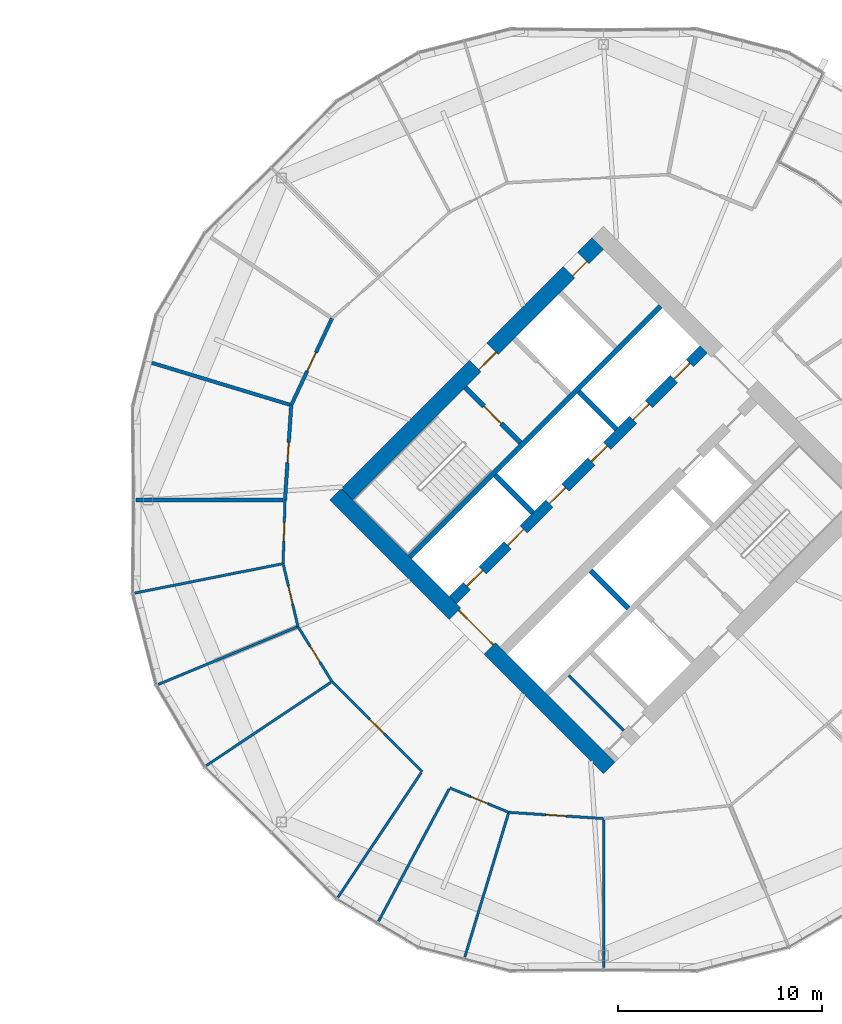
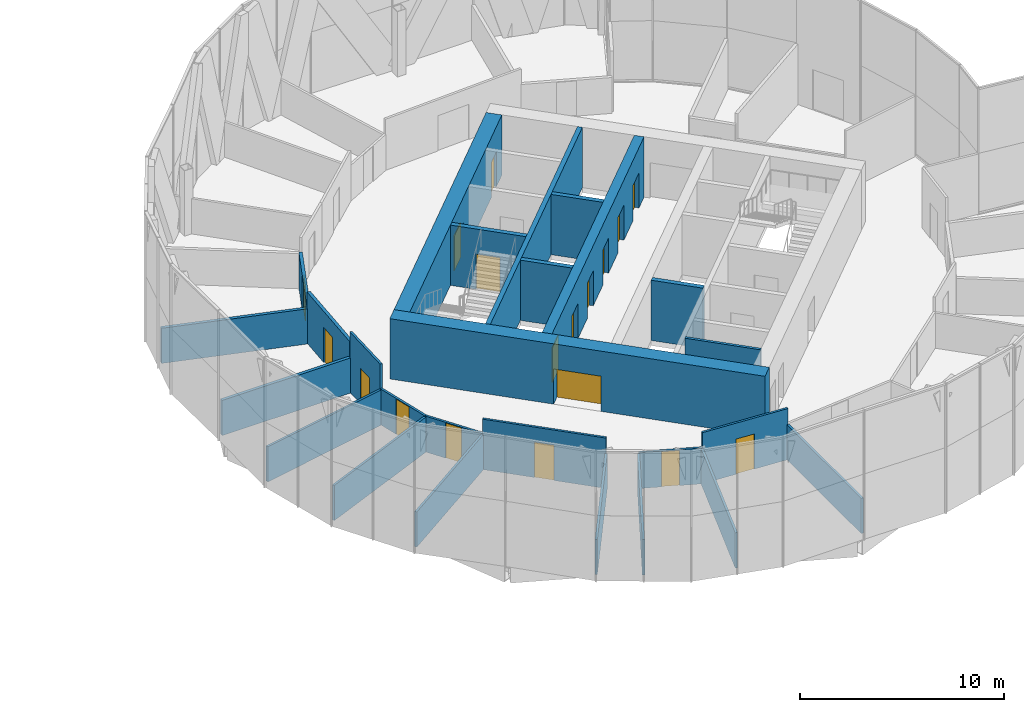
# One storey, part 21 of 27: 26 walls, 18 doors, 18 openings.
"""IFC4 building model written with IfcOpenShell, lengths in metres."""

from ifc_helpers import new_model, si_unit, direction, frame, frame_2d, origin, place, context, subcontext, project, spatial, rectangle, extrude, material, layer, layer_set, type_object, element, fill, save


model = new_model("IFC4")

# Units and contexts
model_context = context("Model", 3, precision=1e-05, world=origin(), true_north=direction((0.0, 1.0)))
body_context = subcontext(model_context, "Body", "Model", "MODEL_VIEW")
ifc_project = project(units=[si_unit("LENGTHUNIT", "METRE"), si_unit("AREAUNIT", "SQUARE_METRE"), si_unit("VOLUMEUNIT", "CUBIC_METRE"), si_unit("PLANEANGLEUNIT", "RADIAN"), si_unit("MASSUNIT", "GRAM", prefix="KILO")], contexts=[model_context])

# Site, building, storey
site_placement = place(None, origin())
site = spatial("IfcSite", under=ifc_project, at=site_placement, CompositionType="ELEMENT")
building_placement = place(site_placement, origin())
building = spatial("IfcBuilding", under=site, at=building_placement, Name="Ogive Gate Towers", CompositionType="ELEMENT")
storey_placement = place(building_placement, frame((0.0, 0.0, 123.0)))
storey = spatial("IfcBuildingStorey", under=building, at=storey_placement, Name="L29", CompositionType="ELEMENT", Elevation=123.0)

# Walls
ifc_material_1 = material(Name="Gypsum board acoustic partition")
ifc_layer_1 = layer(ifc_material_1, 0.175048828125)
ifc_layer_set_1 = layer_set([ifc_layer_1], Name="Acoustic partition 175")
wall_type_1 = type_object("IfcWallType", Name="Acoustic partition 175", PredefinedType="PARTITIONING", material=ifc_layer_set_1)
wall_1_placement = place(storey_placement, frame((13.5751953125, 6.80859375, 0.0), z_axis=(0.0, 0.0, 1.0), x_axis=(0.956872477348, -0.290508282317, 0.0)))
element("IfcWall", 1, at=wall_1_placement, inside=storey, type_object=wall_type_1, Name="Partition T2-L29-010", PredefinedType="PARTITIONING", context=body_context, shape_type="SweptSolid", body=[
    extrude(rectangle(XDim=7.33154296875, YDim=0.175048828125, at=frame_2d((3.665771484375, 0.0))), origin(), (0.0, 0.0, 1.0), 2.10009765625),
])
wall_2_placement = place(storey_placement, frame((13.051025390625, 0.0, 0.0), z_axis=(0.0, 0.0, 1.0), x_axis=(1.0, 0.0, 0.0)))
element("IfcWall", 2, at=wall_2_placement, inside=storey, type_object=wall_type_1, Name="Partition T2-L29-011", PredefinedType="PARTITIONING", context=body_context, shape_type="SweptSolid", body=[
    extrude(rectangle(XDim=7.2314453125, YDim=0.175048828125, at=frame_2d((3.61572265625, 0.0))), origin(), (0.0, 0.0, 1.0), 2.10009765625),
])

# Wall, opening, door
wall_3_placement = place(storey_placement, frame((20.3701171875, 0.0, 0.0), z_axis=(0.0, 0.0, 1.0), x_axis=(0.065233267178, 0.997870042066, 0.0)))
wall_3 = element("IfcWall", 3, at=wall_3_placement, inside=storey, type_object=wall_type_1, Name="Partition T2-L29-028", PredefinedType="PARTITIONING", context=body_context, shape_type="SweptSolid", body=[
    extrude(rectangle(XDim=4.663330078125, YDim=0.175048828125, at=frame_2d((2.33154296875, 0.0))), origin(), (0.0, 0.0, 1.0), 3.050048828125),
])
opening_1_placement = place(wall_3_placement, frame((1.83203125, 0.0, 0.0)))
opening_1 = element("IfcOpeningElement", 4, at=opening_1_placement, cuts=wall_3, Name="Opening T2-L29-D05", PredefinedType="OPENING", context=body_context, shape_type="SweptSolid", body=[
    extrude(rectangle(XDim=1.0, YDim=2.10009765625, at=frame_2d((0.5, 1.050048828125))), frame((0.0, 0.09765625, 0.0), z_axis=(0.0, -1.0, 0.0), x_axis=(1.0, 0.0, 0.0)), (0.0, 0.0, 1.0), 0.195068359375),
])
ifc_material_2 = material(Name="Timber door", Category="wood")
door_type_1 = type_object("IfcDoorType", Name="Door 1000", OperationType="NOTDEFINED", PredefinedType="DOOR", material=ifc_material_2)
door_1_placement = place(opening_1_placement, origin())
door_1 = element("IfcDoor", 5, at=door_1_placement, inside=storey, type_object=door_type_1, Name="Door T2-L29-D05", OperationType="SINGLE_SWING_RIGHT", OverallHeight=2.10009765625, OverallWidth=1.0, PredefinedType="DOOR", context=body_context, shape_type="SweptSolid", body=[
    extrude(rectangle(XDim=1.0, YDim=2.10009765625, at=frame_2d((0.5, 1.050048828125))), frame((0.0, 0.02490234375, 0.0), z_axis=(0.0, -1.0, 0.0), x_axis=(1.0, 0.0, 0.0)), (0.0, 0.0, 1.0), 0.050048828125),
])
fill(opening_1, door_1)

wall_4_placement = place(storey_placement, frame((20.67431640625, 4.6533203125, 0.0), z_axis=(0.0, 0.0, 1.0), x_axis=(0.425174486492, 0.905111405318, 0.0)))
wall_4 = element("IfcWall", 6, at=wall_4_placement, inside=storey, type_object=wall_type_1, Name="Partition T2-L29-029", PredefinedType="PARTITIONING", context=body_context, shape_type="SweptSolid", body=[
    extrude(rectangle(XDim=4.703369140625, YDim=0.175048828125, at=frame_2d((2.3515625, 0.0))), origin(), (0.0, 0.0, 1.0), 2.139892578125),
])
opening_2_placement = place(wall_4_placement, frame((1.85205078125, 0.0, 0.0)))
opening_2 = element("IfcOpeningElement", 7, at=opening_2_placement, cuts=wall_4, Name="Opening T2-L29-D06", PredefinedType="OPENING", context=body_context, shape_type="SweptSolid", body=[
    extrude(rectangle(XDim=1.0, YDim=2.10009765625, at=frame_2d((0.5, 1.050048828125))), frame((0.0, 0.09765625, 0.0), z_axis=(0.0, -1.0, 0.0), x_axis=(1.0, 0.0, 0.0)), (0.0, 0.0, 1.0), 0.195068359375),
])
door_2_placement = place(opening_2_placement, origin())
door_2 = element("IfcDoor", 8, at=door_2_placement, inside=storey, type_object=door_type_1, Name="Door T2-L29-D06", OperationType="SINGLE_SWING_RIGHT", OverallHeight=2.10009765625, OverallWidth=1.0, PredefinedType="DOOR", context=body_context, shape_type="SweptSolid", body=[
    extrude(rectangle(XDim=1.0, YDim=2.10009765625, at=frame_2d((0.5, 1.050048828125))), frame((0.0, 0.02490234375, 0.0), z_axis=(0.0, -1.0, 0.0), x_axis=(1.0, 0.0, 0.0)), (0.0, 0.0, 1.0), 0.050048828125),
])
fill(opening_2, door_2)

# Wall, openings, doors
ifc_material_3 = material(Name="Concrete C60/75", Category="concrete")
ifc_layer_2 = layer(ifc_material_3, 0.800048828125)
ifc_layer_set_2 = layer_set([ifc_layer_2], Name="Core wall 800 mm")
wall_type_2 = type_object("IfcWallType", Name="Core wall 800 mm", PredefinedType="SHEAR", material=ifc_layer_set_2)
wall_5_placement = place(storey_placement, frame((23.41357421875, 0.28271484375, 0.0), z_axis=(0.0, 0.0, 1.0), x_axis=(0.707106781187, 0.707106781187, 0.0)))
wall_5 = element("IfcWall", 9, at=wall_5_placement, inside=storey, type_object=wall_type_2, Name="T2 L29 Core wall 800 mm", PredefinedType="SHEAR", context=body_context, shape_type="SweptSolid", body=[
    extrude(rectangle(XDim=17.400146484375, YDim=0.800048828125, at=frame_2d((8.7001953125, 0.0))), origin(), (0.0, 0.0, 1.0), 3.60009765625),
])
opening_3_placement = place(wall_5_placement, frame((8.89990234375, 0.0, 0.0)))
opening_3 = element("IfcOpeningElement", 10, at=opening_3_placement, cuts=wall_5, Name="Opening KD-T2-L29-15", PredefinedType="OPENING", context=body_context, shape_type="SweptSolid", body=[
    extrude(rectangle(XDim=1.199951171875, YDim=2.10009765625, at=frame_2d((0.60009765625, 1.050048828125))), frame((0.0, 0.41015625, 0.0), z_axis=(0.0, -1.0, 0.0), x_axis=(1.0, 0.0, 0.0)), (0.0, 0.0, 1.0), 0.820068359375),
])
opening_4_placement = place(wall_5_placement, frame((15.39990234375, 0.0, 0.0)))
opening_4 = element("IfcOpeningElement", 11, at=opening_4_placement, cuts=wall_5, Name="Opening KD-T2-L29-17", PredefinedType="OPENING", context=body_context, shape_type="SweptSolid", body=[
    extrude(rectangle(XDim=1.0, YDim=2.10009765625, at=frame_2d((0.5, 1.050048828125))), frame((0.0, 0.41015625, 0.0), z_axis=(0.0, -1.0, 0.0), x_axis=(1.0, 0.0, 0.0)), (0.0, 0.0, 1.0), 0.820068359375),
])
door_type_2 = type_object("IfcDoorType", Name="Accessible WC door 1000 x 2100", OperationType="NOTDEFINED", PredefinedType="DOOR", material=ifc_material_2)
door_3_placement = place(opening_4_placement, origin())
door_3 = element("IfcDoor", 12, at=door_3_placement, inside=storey, type_object=door_type_2, Name="T2 L29 Core door", OperationType="SINGLE_SWING_RIGHT", OverallHeight=2.10009765625, OverallWidth=1.0, PredefinedType="DOOR", context=body_context, shape_type="SweptSolid", body=[
    extrude(rectangle(XDim=1.0, YDim=2.10009765625, at=frame_2d((0.5, 1.050048828125))), frame((0.0, -0.22509765625, 0.0), z_axis=(0.0, -1.0, 0.0), x_axis=(1.0, 0.0, 0.0)), (0.0, 0.0, 1.0), 0.050048828125),
])
fill(opening_4, door_3)
ifc_material_4 = material(Name="Steel fire door", Category="steel")
door_type_3 = type_object("IfcDoorType", Name="Core door FD60S 1200 x 2100", OperationType="NOTDEFINED", PredefinedType="DOOR", material=ifc_material_4)
door_4_placement = place(opening_3_placement, origin())
door_4 = element("IfcDoor", 13, at=door_4_placement, inside=storey, type_object=door_type_3, Name="T2 L29 Fire-fighting lobby door", OperationType="SINGLE_SWING_RIGHT", OverallHeight=2.10009765625, OverallWidth=1.199951171875, PredefinedType="DOOR", context=body_context, shape_type="SweptSolid", body=[
    extrude(rectangle(XDim=1.199951171875, YDim=2.10009765625, at=frame_2d((0.60009765625, 1.050048828125))), frame((0.0, -0.22509765625, 0.0), z_axis=(0.0, -1.0, 0.0), x_axis=(1.0, 0.0, 0.0)), (0.0, 0.0, 1.0), 0.050048828125),
])
fill(opening_3, door_4)

# Wall, opening, door
wall_6_placement = place(storey_placement, frame((36.28271484375, -13.152099609375, 0.0), z_axis=(0.0, 0.0, 1.0), x_axis=(-0.707106781187, 0.707106781187, 0.0)))
wall_6 = element("IfcWall", 14, at=wall_6_placement, inside=storey, type_object=wall_type_2, Name="T2 L29 Core wall 800 mm", PredefinedType="SHEAR", context=body_context, shape_type="SweptSolid", body=[
    extrude(rectangle(XDim=18.999755859375, YDim=0.800048828125, at=frame_2d((9.5, 0.0))), origin(), (0.0, 0.0, 1.0), 3.60009765625),
])
opening_5_placement = place(wall_6_placement, frame((8.300048828125, 0.0, 0.0)))
opening_5 = element("IfcOpeningElement", 15, at=opening_5_placement, cuts=wall_6, Name="Opening KD-T2-L29-01", PredefinedType="OPENING", context=body_context, shape_type="SweptSolid", body=[
    extrude(rectangle(XDim=2.39990234375, YDim=2.10009765625, at=frame_2d((1.199951171875, 1.050048828125))), frame((0.0, 0.41015625, 0.0), z_axis=(0.0, -1.0, 0.0), x_axis=(1.0, 0.0, 0.0)), (0.0, 0.0, 1.0), 0.820068359375),
])
door_type_4 = type_object("IfcDoorType", Name="Core double door FD60S 2400 x 2100", OperationType="DOUBLE_DOOR_SINGLE_SWING", PredefinedType="DOOR", material=ifc_material_4)
door_5_placement = place(opening_5_placement, origin())
door_5 = element("IfcDoor", 16, at=door_5_placement, inside=storey, type_object=door_type_4, Name="T2 L29 Core door double", OperationType="DOUBLE_DOOR_SINGLE_SWING", OverallHeight=2.10009765625, OverallWidth=2.39990234375, PredefinedType="DOOR", context=body_context, shape_type="SweptSolid", body=[
    extrude(rectangle(XDim=2.39990234375, YDim=2.10009765625, at=frame_2d((1.199951171875, 1.050048828125))), frame((0.0, -0.22509765625, 0.0), z_axis=(0.0, -1.0, 0.0), x_axis=(1.0, 0.0, 0.0)), (0.0, 0.0, 1.0), 0.050048828125),
])
fill(opening_5, door_5)

# Walls
ifc_material_5 = material(Name="Gypsum board partition")
ifc_layer_3 = layer(ifc_material_5, 0.125)
ifc_layer_set_3 = layer_set([ifc_layer_3], Name="Partition 125")
wall_type_3 = type_object("IfcWallType", Name="Partition 125", PredefinedType="PARTITIONING", material=ifc_layer_set_3)
wall_7_placement = place(storey_placement, frame((12.99951171875, -4.5673828125, 0.0), z_axis=(0.0, 0.0, 1.0), x_axis=(0.980847810258, 0.194775699489, 0.0)))
element("IfcWall", 17, at=wall_7_placement, inside=storey, type_object=wall_type_3, Name="Partition T2-L29-012", PredefinedType="PARTITIONING", context=body_context, shape_type="SweptSolid", body=[
    extrude(rectangle(XDim=7.3564453125, YDim=0.125, at=frame_2d((3.67822265625, 0.0))), origin(), (0.0, 0.0, 1.0), 2.10009765625),
])
wall_8_placement = place(storey_placement, frame((14.150146484375, -9.05029296875, 0.0), z_axis=(0.0, 0.0, 1.0), x_axis=(0.923882951108, 0.382675179038, 0.0)))
element("IfcWall", 18, at=wall_8_placement, inside=storey, type_object=wall_type_3, Name="Partition T2-L29-013", PredefinedType="PARTITIONING", context=body_context, shape_type="SweptSolid", body=[
    extrude(rectangle(XDim=7.356689453125, YDim=0.125, at=frame_2d((3.67822265625, 0.0))), origin(), (0.0, 0.0, 1.0), 2.10009765625),
])
for number, where, z_axis, x_axis, name in (
    (19, (16.506591796875, -13.0341796875, 0.0), (0.0, 0.0, 1.0), (0.831304109305, 0.555817845928, 0.0), "Partition T2-L29-014"),
    (20, (22.9658203125, -19.493408203125, 0.0), (0.0, 0.0, 1.0), (0.555817845928, 0.831304109305, 0.0), "Partition T2-L29-015"),
    (21, (24.9580078125, -20.671142578125, 0.0), (0.0, 0.0, 1.0), (0.471158290379, 0.882048675192, 0.0), "Partition T2-L29-016"),
):
    element("IfcWall", number, at=place(storey_placement, frame(where, z_axis=z_axis, x_axis=x_axis)), inside=storey, type_object=wall_type_3, Name=name, PredefinedType="PARTITIONING", context=body_context, shape_type="SweptSolid", body=[
        extrude(rectangle(XDim=7.3564453125, YDim=0.125, at=frame_2d((3.67822265625, 0.0))), origin(), (0.0, 0.0, 1.0), 2.10009765625),
    ])
wall_9_placement = place(storey_placement, frame((29.19140625, -22.4248046875, 0.0), z_axis=(0.0, 0.0, 1.0), x_axis=(0.290515788093, 0.956870198548, 0.0)))
element("IfcWall", 22, at=wall_9_placement, inside=storey, type_object=wall_type_3, Name="Partition T2-L29-017", PredefinedType="PARTITIONING", context=body_context, shape_type="SweptSolid", body=[
    extrude(rectangle(XDim=7.356689453125, YDim=0.125, at=frame_2d((3.67822265625, 0.0))), origin(), (0.0, 0.0, 1.0), 2.10009765625),
])
wall_10_placement = place(storey_placement, frame((36.0, -22.948974609375, 0.0), z_axis=(0.0, 0.0, 1.0), x_axis=(0.0, 1.0, 0.0)))
element("IfcWall", 23, at=wall_10_placement, inside=storey, type_object=wall_type_3, Name="Partition T2-L29-018", PredefinedType="PARTITIONING", context=body_context, shape_type="SweptSolid", body=[
    extrude(rectangle(XDim=7.256591796875, YDim=0.125, at=frame_2d((3.62841796875, 0.0))), origin(), (0.0, 0.0, 1.0), 2.10009765625),
])

# Wall, opening, door
wall_11_placement = place(storey_placement, frame((27.089599609375, -13.325927734375, 0.0), z_axis=(0.0, 0.0, 1.0), x_axis=(-0.707106781187, 0.707106781187, 0.0)))
wall_11 = element("IfcWall", 24, at=wall_11_placement, inside=storey, type_object=wall_type_3, Name="Partition T2-L29-024", PredefinedType="PARTITIONING", context=body_context, shape_type="SweptSolid", body=[
    extrude(rectangle(XDim=6.244384765625, YDim=0.125, at=frame_2d((3.1220703125, 0.0))), origin(), (0.0, 0.0, 1.0), 3.010009765625),
])
opening_6_placement = place(wall_11_placement, frame((2.6220703125, 0.0, 0.0)))
opening_6 = element("IfcOpeningElement", 25, at=opening_6_placement, cuts=wall_11, Name="Opening T2-L29-D01", PredefinedType="OPENING", context=body_context, shape_type="SweptSolid", body=[
    extrude(rectangle(XDim=1.0, YDim=2.10009765625, at=frame_2d((0.5, 1.050048828125))), frame((0.0, 0.072509765625, 0.0), z_axis=(0.0, -1.0, 0.0), x_axis=(1.0, 0.0, 0.0)), (0.0, 0.0, 1.0), 0.14501953125),
])
door_6_placement = place(opening_6_placement, origin())
door_6 = element("IfcDoor", 26, at=door_6_placement, inside=storey, type_object=door_type_1, Name="Door T2-L29-D01", OperationType="SINGLE_SWING_RIGHT", OverallHeight=2.10009765625, OverallWidth=1.0, PredefinedType="DOOR", context=body_context, shape_type="SweptSolid", body=[
    extrude(rectangle(XDim=1.0, YDim=2.10009765625, at=frame_2d((0.5, 1.050048828125))), frame((0.0, 0.02490234375, 0.0), z_axis=(0.0, -1.0, 0.0), x_axis=(1.0, 0.0, 0.0)), (0.0, 0.0, 1.0), 0.050048828125),
])
fill(opening_6, door_6)

wall_12_placement = place(storey_placement, frame((22.674072265625, -8.910400390625, 0.0), z_axis=(0.0, 0.0, 1.0), x_axis=(-0.52606593962, 0.850443782488, 0.0)))
wall_12 = element("IfcWall", 27, at=wall_12_placement, inside=storey, type_object=wall_type_3, Name="Partition T2-L29-025", PredefinedType="PARTITIONING", context=body_context, shape_type="SweptSolid", body=[
    extrude(rectangle(XDim=3.173828125, YDim=0.125, at=frame_2d((1.5869140625, 0.0))), origin(), (0.0, 0.0, 1.0), 2.139892578125),
])
opening_7_placement = place(wall_12_placement, frame((1.136962890625, 0.0, 0.0)))
opening_7 = element("IfcOpeningElement", 28, at=opening_7_placement, cuts=wall_12, Name="Opening T2-L29-D02", PredefinedType="OPENING", context=body_context, shape_type="SweptSolid", body=[
    extrude(rectangle(XDim=0.89990234375, YDim=2.10009765625, at=frame_2d((0.449951171875, 1.050048828125))), frame((0.0, 0.072509765625, 0.0), z_axis=(0.0, -1.0, 0.0), x_axis=(1.0, 0.0, 0.0)), (0.0, 0.0, 1.0), 0.14501953125),
])
door_type_5 = type_object("IfcDoorType", Name="Door 900", OperationType="NOTDEFINED", PredefinedType="DOOR", material=ifc_material_2)
door_7_placement = place(opening_7_placement, origin())
door_7 = element("IfcDoor", 29, at=door_7_placement, inside=storey, type_object=door_type_5, Name="Door T2-L29-D02", OperationType="SINGLE_SWING_LEFT", OverallHeight=2.10009765625, OverallWidth=0.89990234375, PredefinedType="DOOR", context=body_context, shape_type="SweptSolid", body=[
    extrude(rectangle(XDim=0.89990234375, YDim=2.10009765625, at=frame_2d((0.449951171875, 1.050048828125))), frame((0.0, 0.02490234375, 0.0), z_axis=(0.0, -1.0, 0.0), x_axis=(1.0, 0.0, 0.0)), (0.0, 0.0, 1.0), 0.050048828125),
])
fill(opening_7, door_7)

wall_13_placement = place(storey_placement, frame((21.00439453125, -6.211181640625, 0.0), z_axis=(0.0, 0.0, 1.0), x_axis=(-0.229408081366, 0.973330330465, 0.0)))
wall_13 = element("IfcWall", 30, at=wall_13_placement, inside=storey, type_object=wall_type_3, Name="Partition T2-L29-026", PredefinedType="PARTITIONING", context=body_context, shape_type="SweptSolid", body=[
    extrude(rectangle(XDim=3.173583984375, YDim=0.125, at=frame_2d((1.5869140625, 0.0))), origin(), (0.0, 0.0, 1.0), 2.139892578125),
])
opening_8_placement = place(wall_13_placement, frame((1.136962890625, 0.0, 0.0)))
opening_8 = element("IfcOpeningElement", 31, at=opening_8_placement, cuts=wall_13, Name="Opening T2-L29-D03", PredefinedType="OPENING", context=body_context, shape_type="SweptSolid", body=[
    extrude(rectangle(XDim=0.89990234375, YDim=2.10009765625, at=frame_2d((0.449951171875, 1.050048828125))), frame((0.0, 0.072509765625, 0.0), z_axis=(0.0, -1.0, 0.0), x_axis=(1.0, 0.0, 0.0)), (0.0, 0.0, 1.0), 0.14501953125),
])
door_8_placement = place(opening_8_placement, origin())
door_8 = element("IfcDoor", 32, at=door_8_placement, inside=storey, type_object=door_type_5, Name="Door T2-L29-D03", OperationType="SINGLE_SWING_RIGHT", OverallHeight=2.10009765625, OverallWidth=0.89990234375, PredefinedType="DOOR", context=body_context, shape_type="SweptSolid", body=[
    extrude(rectangle(XDim=0.89990234375, YDim=2.10009765625, at=frame_2d((0.449951171875, 1.050048828125))), frame((0.0, 0.02490234375, 0.0), z_axis=(0.0, -1.0, 0.0), x_axis=(1.0, 0.0, 0.0)), (0.0, 0.0, 1.0), 0.050048828125),
])
fill(opening_8, door_8)

wall_14_placement = place(storey_placement, frame((20.2763671875, -3.122314453125, 0.0), z_axis=(0.0, 0.0, 1.0), x_axis=(0.030012277705, 0.999549530132, 0.0)))
wall_14 = element("IfcWall", 33, at=wall_14_placement, inside=storey, type_object=wall_type_3, Name="Partition T2-L29-027", PredefinedType="PARTITIONING", context=body_context, shape_type="SweptSolid", body=[
    extrude(rectangle(XDim=3.123779296875, YDim=0.125, at=frame_2d((1.56201171875, 0.0))), origin(), (0.0, 0.0, 1.0), 3.60009765625),
])
opening_9_placement = place(wall_14_placement, frame((1.112060546875, 0.0, 0.0)))
opening_9 = element("IfcOpeningElement", 34, at=opening_9_placement, cuts=wall_14, Name="Opening T2-L29-D04", PredefinedType="OPENING", context=body_context, shape_type="SweptSolid", body=[
    extrude(rectangle(XDim=0.89990234375, YDim=2.10009765625, at=frame_2d((0.449951171875, 1.050048828125))), frame((0.0, 0.072509765625, 0.0), z_axis=(0.0, -1.0, 0.0), x_axis=(1.0, 0.0, 0.0)), (0.0, 0.0, 1.0), 0.14501953125),
])
door_9_placement = place(opening_9_placement, origin())
door_9 = element("IfcDoor", 35, at=door_9_placement, inside=storey, type_object=door_type_5, Name="Door T2-L29-D04", OperationType="SINGLE_SWING_LEFT", OverallHeight=2.10009765625, OverallWidth=0.89990234375, PredefinedType="DOOR", context=body_context, shape_type="SweptSolid", body=[
    extrude(rectangle(XDim=0.89990234375, YDim=2.10009765625, at=frame_2d((0.449951171875, 1.050048828125))), frame((0.0, 0.02490234375, 0.0), z_axis=(0.0, -1.0, 0.0), x_axis=(1.0, 0.0, 0.0)), (0.0, 0.0, 1.0), 0.050048828125),
])
fill(opening_9, door_9)

wall_15_placement = place(storey_placement, frame((36.0, -15.6298828125, 0.0), z_axis=(0.0, 0.0, 1.0), x_axis=(-0.997870042066, 0.065233267178, 0.0)))
wall_15 = element("IfcWall", 36, at=wall_15_placement, inside=storey, type_object=wall_type_3, Name="Partition T2-L29-042", PredefinedType="PARTITIONING", context=body_context, shape_type="SweptSolid", body=[
    extrude(rectangle(XDim=4.663330078125, YDim=0.125, at=frame_2d((2.33154296875, 0.0))), origin(), (0.0, 0.0, 1.0), 3.050048828125),
])
opening_10_placement = place(wall_15_placement, frame((1.83203125, 0.0, 0.0)))
opening_10 = element("IfcOpeningElement", 37, at=opening_10_placement, cuts=wall_15, Name="Opening T2-L29-D19", PredefinedType="OPENING", context=body_context, shape_type="SweptSolid", body=[
    extrude(rectangle(XDim=1.0, YDim=2.10009765625, at=frame_2d((0.5, 1.050048828125))), frame((0.0, 0.072509765625, 0.0), z_axis=(0.0, -1.0, 0.0), x_axis=(1.0, 0.0, 0.0)), (0.0, 0.0, 1.0), 0.14501953125),
])
door_10_placement = place(opening_10_placement, origin())
door_10 = element("IfcDoor", 38, at=door_10_placement, inside=storey, type_object=door_type_1, Name="Door T2-L29-D19", OperationType="SINGLE_SWING_RIGHT", OverallHeight=2.10009765625, OverallWidth=1.0, PredefinedType="DOOR", context=body_context, shape_type="SweptSolid", body=[
    extrude(rectangle(XDim=1.0, YDim=2.10009765625, at=frame_2d((0.5, 1.050048828125))), frame((0.0, 0.02490234375, 0.0), z_axis=(0.0, -1.0, 0.0), x_axis=(1.0, 0.0, 0.0)), (0.0, 0.0, 1.0), 0.050048828125),
])
fill(opening_10, door_10)

wall_16_placement = place(storey_placement, frame((31.3466796875, -15.32568359375, 0.0), z_axis=(0.0, 0.0, 1.0), x_axis=(-0.923863839852, 0.382721315598, 0.0)))
wall_16 = element("IfcWall", 39, at=wall_16_placement, inside=storey, type_object=wall_type_3, Name="Partition T2-L29-043", PredefinedType="PARTITIONING", context=body_context, shape_type="SweptSolid", body=[
    extrude(rectangle(XDim=3.131591796875, YDim=0.125, at=frame_2d((1.56591796875, 0.0))), origin(), (0.0, 0.0, 1.0), 2.139892578125),
])
opening_11_placement = place(wall_16_placement, frame((1.115966796875, 0.0, 0.0)))
opening_11 = element("IfcOpeningElement", 40, at=opening_11_placement, cuts=wall_16, Name="Opening T2-L29-D20", PredefinedType="OPENING", context=body_context, shape_type="SweptSolid", body=[
    extrude(rectangle(XDim=0.89990234375, YDim=2.10009765625, at=frame_2d((0.449951171875, 1.050048828125))), frame((0.0, 0.072509765625, 0.0), z_axis=(0.0, -1.0, 0.0), x_axis=(1.0, 0.0, 0.0)), (0.0, 0.0, 1.0), 0.14501953125),
])
door_11_placement = place(opening_11_placement, origin())
door_11 = element("IfcDoor", 41, at=door_11_placement, inside=storey, type_object=door_type_5, Name="Door T2-L29-D20", OperationType="SINGLE_SWING_RIGHT", OverallHeight=2.10009765625, OverallWidth=0.89990234375, PredefinedType="DOOR", context=body_context, shape_type="SweptSolid", body=[
    extrude(rectangle(XDim=0.89990234375, YDim=2.10009765625, at=frame_2d((0.449951171875, 1.050048828125))), frame((0.0, 0.02490234375, 0.0), z_axis=(0.0, -1.0, 0.0), x_axis=(1.0, 0.0, 0.0)), (0.0, 0.0, 1.0), 0.050048828125),
])
fill(opening_11, door_11)

# Walls
ifc_layer_4 = layer(ifc_material_5, 0.14990234375)
ifc_layer_set_4 = layer_set([ifc_layer_4], Name="Room partition 150 mm")
wall_type_4 = type_object("IfcWallType", Name="Room partition 150 mm", PredefinedType="PARTITIONING", material=ifc_layer_set_4)
wall_17_placement = place(storey_placement, frame((36.989990234375, -11.313720703125, 0.0), z_axis=(0.0, 0.0, 1.0), x_axis=(-0.707074866995, 0.707138693938, 0.0)))
element("IfcWall", 42, at=wall_17_placement, inside=storey, type_object=wall_type_4, Name="T2 L29 Room partition 150 mm", PredefinedType="PARTITIONING", context=body_context, shape_type="SweptSolid", body=[
    extrude(rectangle(XDim=3.824951171875, YDim=0.14990234375, at=frame_2d((1.91259765625, 0.0))), origin(), (0.0, 0.0, 1.0), 3.60009765625),
])
ifc_layer_5 = layer(ifc_material_3, 0.25)
ifc_layer_set_5 = layer_set([ifc_layer_5], Name="Shaft wall 250 mm")
wall_type_5 = type_object("IfcWallType", Name="Shaft wall 250 mm", PredefinedType="SHEAR", material=ifc_layer_set_5)
wall_18_placement = place(storey_placement, frame((26.489501953125, -2.793212890625, 0.0), z_axis=(0.0, 0.0, 1.0), x_axis=(0.707106781187, 0.707106781187, 0.0)))
element("IfcWall", 43, at=wall_18_placement, inside=storey, type_object=wall_type_5, Name="T2 L29 Shaft wall 250 mm", PredefinedType="SHEAR", context=body_context, shape_type="SweptSolid", body=[
    extrude(rectangle(XDim=17.400146484375, YDim=0.25, at=frame_2d((8.7001953125, 0.0))), origin(), (0.0, 0.0, 1.0), 3.60009765625),
])
for number, where, z_axis, x_axis, name in (
    (44, (37.2197265625, -5.321044921875, 0.0), (0.0, 0.0, 1.0), (-0.707106781187, 0.707106781187, 0.0), "T2 L29 Shaft wall 250 mm"),
    (45, (32.53515625, -0.636474609375, 0.0), (0.0, 0.0, 1.0), (-0.707106781187, 0.707106781187, 0.0), "T2 L29 Shaft wall 250 mm"),
):
    element("IfcWall", number, at=place(storey_placement, frame(where, z_axis=z_axis, x_axis=x_axis)), inside=storey, type_object=wall_type_5, Name=name, PredefinedType="SHEAR", context=body_context, shape_type="SweptSolid", body=[
        extrude(rectangle(XDim=2.625, YDim=0.25, at=frame_2d((1.3125, 0.0))), origin(), (0.0, 0.0, 1.0), 3.60009765625),
    ])

# Wall, opening, door
wall_19_placement = place(storey_placement, frame((31.91650390625, 2.810791015625, 0.0), z_axis=(0.0, 0.0, 1.0), x_axis=(-0.707106781187, 0.707106781187, 0.0)))
wall_19 = element("IfcWall", 46, at=wall_19_placement, inside=storey, type_object=wall_type_5, Name="T2 L29 Shaft wall 250 mm", PredefinedType="SHEAR", context=body_context, shape_type="SweptSolid", body=[
    extrude(rectangle(XDim=3.824951171875, YDim=0.25, at=frame_2d((1.91259765625, 0.0))), origin(), (0.0, 0.0, 1.0), 3.60009765625),
])
opening_12_placement = place(wall_19_placement, frame((1.324951171875, 0.0, 0.0)))
opening_12 = element("IfcOpeningElement", 47, at=opening_12_placement, cuts=wall_19, Name="Opening KD-T2-L29-13", PredefinedType="OPENING", context=body_context, shape_type="SweptSolid", body=[
    extrude(rectangle(XDim=1.199951171875, YDim=2.10009765625, at=frame_2d((0.60009765625, 1.050048828125))), frame((0.0, 0.135009765625, 0.0), z_axis=(0.0, -1.0, 0.0), x_axis=(1.0, 0.0, 0.0)), (0.0, 0.0, 1.0), 0.27001953125),
])
door_12_placement = place(opening_12_placement, origin())
door_12 = element("IfcDoor", 48, at=door_12_placement, inside=storey, type_object=door_type_3, Name="T2 L29 Stair door", OperationType="SINGLE_SWING_RIGHT", OverallHeight=2.10009765625, OverallWidth=1.199951171875, PredefinedType="DOOR", context=body_context, shape_type="SweptSolid", body=[
    extrude(rectangle(XDim=1.199951171875, YDim=2.10009765625, at=frame_2d((0.60009765625, 1.050048828125))), frame((0.0, 0.02490234375, 0.0), z_axis=(0.0, -1.0, 0.0), x_axis=(1.0, 0.0, 0.0)), (0.0, 0.0, 1.0), 0.050048828125),
])
fill(opening_12, door_12)

# Wall
wall_20_placement = place(storey_placement, frame((36.636474609375, 3.46484375, 0.0), z_axis=(0.0, 0.0, 1.0), x_axis=(-0.707106781187, 0.707106781187, 0.0)))
element("IfcWall", 49, at=wall_20_placement, inside=storey, type_object=wall_type_5, Name="T2 L29 Shaft wall 250 mm", PredefinedType="SHEAR", context=body_context, shape_type="SweptSolid", body=[
    extrude(rectangle(XDim=2.625, YDim=0.25, at=frame_2d((1.3125, 0.0))), origin(), (0.0, 0.0, 1.0), 3.60009765625),
])

# Wall, openings, doors
ifc_layer_6 = layer(ifc_material_3, 0.5)
ifc_layer_set_6 = layer_set([ifc_layer_6], Name="Spine wall 500 mm")
wall_type_6 = type_object("IfcWallType", Name="Spine wall 500 mm", PredefinedType="SHEAR", material=ifc_layer_set_6)
wall_21_placement = place(storey_placement, frame((28.610595703125, -4.914306640625, 0.0), z_axis=(0.0, 0.0, 1.0), x_axis=(0.707106781187, 0.707106781187, 0.0)))
wall_21 = element("IfcWall", 50, at=wall_21_placement, inside=storey, type_object=wall_type_6, Name="T2 L29 Spine wall 500 mm", PredefinedType="SHEAR", context=body_context, shape_type="SweptSolid", body=[
    extrude(rectangle(XDim=17.400146484375, YDim=0.5, at=frame_2d((8.7001953125, 0.0))), origin(), (0.0, 0.0, 1.0), 3.60009765625),
])
opening_13_placement = place(wall_21_placement, frame((0.96240234375, 0.0, 0.0)))
opening_13 = element("IfcOpeningElement", 51, at=opening_13_placement, cuts=wall_21, Name="Opening LD-T2-L29-03", PredefinedType="OPENING", context=body_context, shape_type="SweptSolid", body=[
    extrude(rectangle(XDim=1.10009765625, YDim=2.10009765625, at=frame_2d((0.550048828125, 1.050048828125))), frame((0.0, 0.260009765625, 0.0), z_axis=(0.0, -1.0, 0.0), x_axis=(1.0, 0.0, 0.0)), (0.0, 0.0, 1.0), 0.52001953125),
])
opening_14_placement = place(wall_21_placement, frame((3.800048828125, 0.0, 0.0)))
opening_14 = element("IfcOpeningElement", 52, at=opening_14_placement, cuts=wall_21, Name="Opening LD-T2-L29-04", PredefinedType="OPENING", context=body_context, shape_type="SweptSolid", body=[
    extrude(rectangle(XDim=1.10009765625, YDim=2.10009765625, at=frame_2d((0.550048828125, 1.050048828125))), frame((0.0, 0.260009765625, 0.0), z_axis=(0.0, -1.0, 0.0), x_axis=(1.0, 0.0, 0.0)), (0.0, 0.0, 1.0), 0.52001953125),
])
opening_15_placement = place(wall_21_placement, frame((6.699951171875, 0.0, 0.0)))
opening_15 = element("IfcOpeningElement", 53, at=opening_15_placement, cuts=wall_21, Name="Opening LD-T2-L29-05", PredefinedType="OPENING", context=body_context, shape_type="SweptSolid", body=[
    extrude(rectangle(XDim=1.10009765625, YDim=2.10009765625, at=frame_2d((0.550048828125, 1.050048828125))), frame((0.0, 0.260009765625, 0.0), z_axis=(0.0, -1.0, 0.0), x_axis=(1.0, 0.0, 0.0)), (0.0, 0.0, 1.0), 0.52001953125),
])
opening_16_placement = place(wall_21_placement, frame((9.60009765625, 0.0, 0.0)))
opening_16 = element("IfcOpeningElement", 54, at=opening_16_placement, cuts=wall_21, Name="Opening LD-T2-L29-06", PredefinedType="OPENING", context=body_context, shape_type="SweptSolid", body=[
    extrude(rectangle(XDim=1.10009765625, YDim=2.10009765625, at=frame_2d((0.550048828125, 1.050048828125))), frame((0.0, 0.260009765625, 0.0), z_axis=(0.0, -1.0, 0.0), x_axis=(1.0, 0.0, 0.0)), (0.0, 0.0, 1.0), 0.52001953125),
])
opening_17_placement = place(wall_21_placement, frame((12.5, 0.0, 0.0)))
opening_17 = element("IfcOpeningElement", 55, at=opening_17_placement, cuts=wall_21, Name="Opening LD-T2-L29-07", PredefinedType="OPENING", context=body_context, shape_type="SweptSolid", body=[
    extrude(rectangle(XDim=1.10009765625, YDim=2.10009765625, at=frame_2d((0.550048828125, 1.050048828125))), frame((0.0, 0.260009765625, 0.0), z_axis=(0.0, -1.0, 0.0), x_axis=(1.0, 0.0, 0.0)), (0.0, 0.0, 1.0), 0.52001953125),
])
opening_18_placement = place(wall_21_placement, frame((15.33740234375, 0.0, 0.0)))
opening_18 = element("IfcOpeningElement", 56, at=opening_18_placement, cuts=wall_21, Name="Opening LD-T2-L29-08", PredefinedType="OPENING", context=body_context, shape_type="SweptSolid", body=[
    extrude(rectangle(XDim=1.10009765625, YDim=2.10009765625, at=frame_2d((0.550048828125, 1.050048828125))), frame((0.0, 0.260009765625, 0.0), z_axis=(0.0, -1.0, 0.0), x_axis=(1.0, 0.0, 0.0)), (0.0, 0.0, 1.0), 0.52001953125),
])
ifc_material_6 = material(Name="Stainless steel landing door", Category="steel")
door_type_6 = type_object("IfcDoorType", Name="Landing door 1100 x 2100", OperationType="SLIDING_TO_LEFT", PredefinedType="DOOR", material=ifc_material_6)
door_13_placement = place(opening_13_placement, origin())
door_13 = element("IfcDoor", 57, at=door_13_placement, inside=storey, type_object=door_type_6, Name="T2 L29 Lift landing door A1", OperationType="SLIDING_TO_LEFT", OverallHeight=2.10009765625, OverallWidth=1.10009765625, PredefinedType="DOOR", context=body_context, shape_type="SweptSolid", body=[
    extrude(rectangle(XDim=1.10009765625, YDim=2.10009765625, at=frame_2d((0.550048828125, 1.050048828125))), frame((0.0, 0.02490234375, 0.0), z_axis=(0.0, -1.0, 0.0), x_axis=(1.0, 0.0, 0.0)), (0.0, 0.0, 1.0), 0.050048828125),
])
fill(opening_13, door_13)
door_14_placement = place(opening_14_placement, origin())
door_14 = element("IfcDoor", 58, at=door_14_placement, inside=storey, type_object=door_type_6, Name="T2 L29 Lift landing door A2", OperationType="SLIDING_TO_LEFT", OverallHeight=2.10009765625, OverallWidth=1.10009765625, PredefinedType="DOOR", context=body_context, shape_type="SweptSolid", body=[
    extrude(rectangle(XDim=1.10009765625, YDim=2.10009765625, at=frame_2d((0.550048828125, 1.050048828125))), frame((0.0, 0.02490234375, 0.0), z_axis=(0.0, -1.0, 0.0), x_axis=(1.0, 0.0, 0.0)), (0.0, 0.0, 1.0), 0.050048828125),
])
fill(opening_14, door_14)
door_15_placement = place(opening_15_placement, origin())
door_15 = element("IfcDoor", 59, at=door_15_placement, inside=storey, type_object=door_type_6, Name="T2 L29 Lift landing door A3", OperationType="SLIDING_TO_LEFT", OverallHeight=2.10009765625, OverallWidth=1.10009765625, PredefinedType="DOOR", context=body_context, shape_type="SweptSolid", body=[
    extrude(rectangle(XDim=1.10009765625, YDim=2.10009765625, at=frame_2d((0.550048828125, 1.050048828125))), frame((0.0, 0.02490234375, 0.0), z_axis=(0.0, -1.0, 0.0), x_axis=(1.0, 0.0, 0.0)), (0.0, 0.0, 1.0), 0.050048828125),
])
fill(opening_15, door_15)
door_16_placement = place(opening_16_placement, origin())
door_16 = element("IfcDoor", 60, at=door_16_placement, inside=storey, type_object=door_type_6, Name="T2 L29 Lift landing door A4", OperationType="SLIDING_TO_LEFT", OverallHeight=2.10009765625, OverallWidth=1.10009765625, PredefinedType="DOOR", context=body_context, shape_type="SweptSolid", body=[
    extrude(rectangle(XDim=1.10009765625, YDim=2.10009765625, at=frame_2d((0.550048828125, 1.050048828125))), frame((0.0, 0.02490234375, 0.0), z_axis=(0.0, -1.0, 0.0), x_axis=(1.0, 0.0, 0.0)), (0.0, 0.0, 1.0), 0.050048828125),
])
fill(opening_16, door_16)
door_17_placement = place(opening_17_placement, origin())
door_17 = element("IfcDoor", 61, at=door_17_placement, inside=storey, type_object=door_type_6, Name="T2 L29 Lift landing door A5", OperationType="SLIDING_TO_LEFT", OverallHeight=2.10009765625, OverallWidth=1.10009765625, PredefinedType="DOOR", context=body_context, shape_type="SweptSolid", body=[
    extrude(rectangle(XDim=1.10009765625, YDim=2.10009765625, at=frame_2d((0.550048828125, 1.050048828125))), frame((0.0, 0.02490234375, 0.0), z_axis=(0.0, -1.0, 0.0), x_axis=(1.0, 0.0, 0.0)), (0.0, 0.0, 1.0), 0.050048828125),
])
fill(opening_17, door_17)
door_18_placement = place(opening_18_placement, origin())
door_18 = element("IfcDoor", 62, at=door_18_placement, inside=storey, type_object=door_type_6, Name="T2 L29 Lift landing door A6", OperationType="SLIDING_TO_LEFT", OverallHeight=2.10009765625, OverallWidth=1.10009765625, PredefinedType="DOOR", context=body_context, shape_type="SweptSolid", body=[
    extrude(rectangle(XDim=1.10009765625, YDim=2.10009765625, at=frame_2d((0.550048828125, 1.050048828125))), frame((0.0, 0.02490234375, 0.0), z_axis=(0.0, -1.0, 0.0), x_axis=(1.0, 0.0, 0.0)), (0.0, 0.0, 1.0), 0.050048828125),
])
fill(opening_18, door_18)

save(model, "model.ifc")
